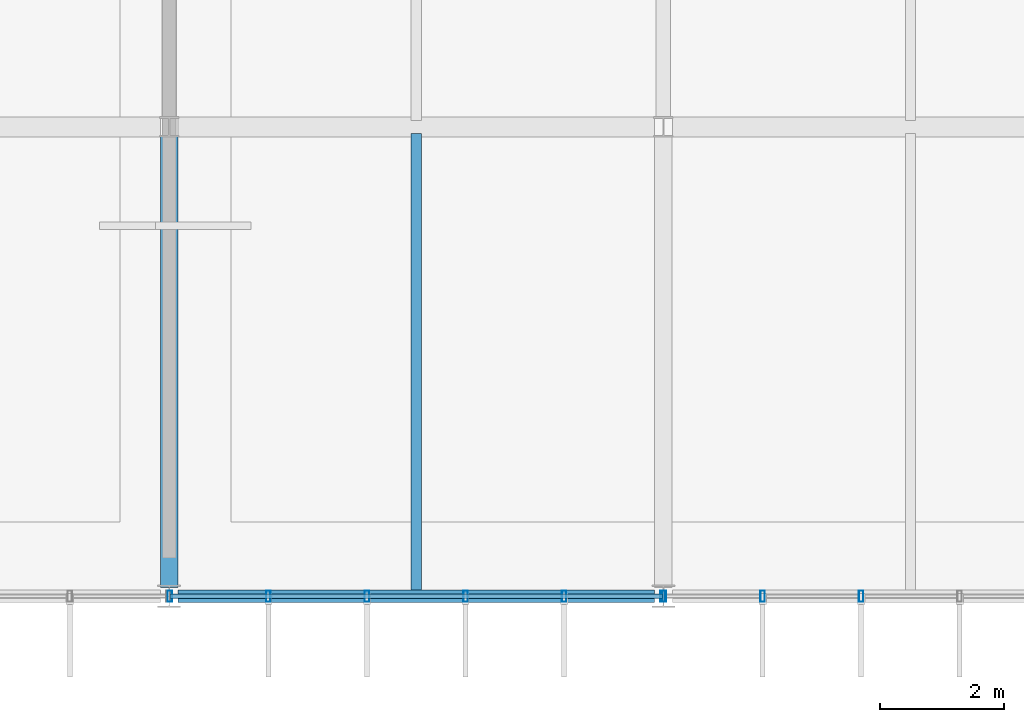
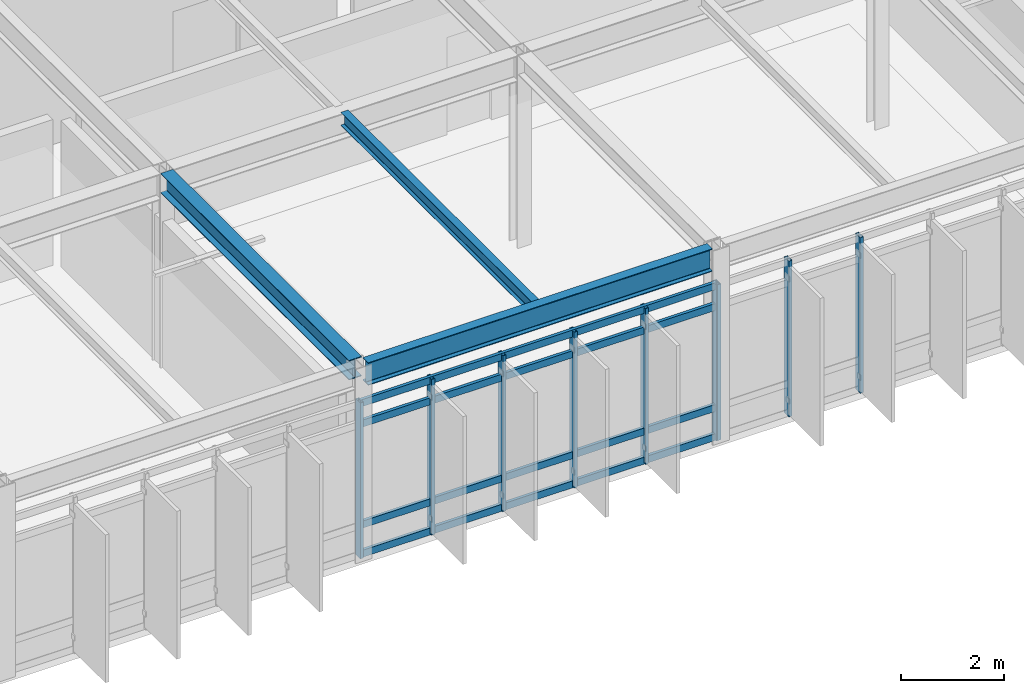
# One storey, part 22 of 100: 13 members, 3 beams, 2 elements without a shape of their own.
"""IFC4 building model written with IfcOpenShell, lengths in metres."""

from ifc_helpers import new_model, si_unit, direction, frame, origin, origin_2d, place, context, subcontext, project, spatial, hollow_rectangle, i_section, extrude, material, material_profile, profile_set, type_object, element, aggregate, save


model = new_model("IFC4")

# Units and contexts
model_context = context("Model", 3, precision=1e-05, world=origin(), true_north=direction((0.0, 1.0)))
body_context = subcontext(model_context, "Body", "Model", "MODEL_VIEW")
ifc_project = project(units=[si_unit("LENGTHUNIT", "METRE"), si_unit("AREAUNIT", "SQUARE_METRE"), si_unit("VOLUMEUNIT", "CUBIC_METRE"), si_unit("PLANEANGLEUNIT", "RADIAN"), si_unit("MASSUNIT", "GRAM", prefix="KILO")], contexts=[model_context])

# Site, building, storey
site_placement = place(None, origin())
site = spatial("IfcSite", under=ifc_project, at=site_placement, CompositionType="ELEMENT")
building_placement = place(site_placement, origin())
building = spatial("IfcBuilding", under=site, at=building_placement, Name="Zulena Civic Courthouse", CompositionType="ELEMENT")
storey_placement = place(building_placement, frame((0.0, 0.0, 20.39990234375)))
storey = spatial("IfcBuildingStorey", under=building, at=storey_placement, Name="L04", CompositionType="ELEMENT", Elevation=20.39990234375)

# Curtain wall, members
ifc_material_1 = material(Name="Double-silver low-E laminated solar-control glass", Category="glass")
curtain_wall_type = type_object("IfcCurtainWallType", Name="CW_7976x3690", PredefinedType="USERDEFINED", material=ifc_material_1)
curtain_wall_1_placement = place(storey_placement, origin())
curtain_wall_1 = element("IfcCurtainWall", 1, at=curtain_wall_1_placement, inside=storey, type_object=curtain_wall_type, Name="cw:V2:L04:3:4", ObjectType="UNITISED CURTAIN WALL", PredefinedType="USERDEFINED")
ifc_material_2 = material(Name="Bronze anodised thermally broken aluminium AA6063-T6", Category="aluminium")
ifc_material_profile_1 = material_profile(ifc_material_2, hollow_rectangle(XDim=0.074951171875, YDim=0.179931640625, WallThickness=0.0048828125, at=origin_2d()), Name="CWM180X75X5")
ifc_profile_set_1 = profile_set([ifc_material_profile_1], Name="Bronze anodised thermally broken aluminium AA6063-T6")
member_type_1 = type_object("IfcMemberType", Name="CWMullion_180x75", PredefinedType="MULLION", material=ifc_profile_set_1)
member_1_placement = place(storey_placement, frame((31.202392578125, 0.0, 0.0), z_axis=(0.0, 0.0, 1.0), x_axis=(1.0, 0.0, 0.0)))
member_1 = element("IfcMember", 2, at=member_1_placement, type_object=member_type_1, Name="cw:V2:L04:3:4:mull:3", PredefinedType="MULLION", context=body_context, shape_type="SweptSolid", body=[
    extrude(hollow_rectangle(XDim=0.074951171875, YDim=0.179931640625, WallThickness=0.0048828125, at=origin_2d()), origin(), (0.0, 0.0, 1.0), 3.690185546875),
])
member_2_placement = place(storey_placement, frame((29.607177734375, 0.0, 0.0), z_axis=(0.0, 0.0, 1.0), x_axis=(1.0, 0.0, 0.0)))
member_2 = element("IfcMember", 3, at=member_2_placement, type_object=member_type_1, Name="cw:V2:L04:3:4:mull:4", PredefinedType="MULLION", context=body_context, shape_type="SweptSolid", body=[
    extrude(hollow_rectangle(XDim=0.074951171875, YDim=0.179931640625, WallThickness=0.0048828125, at=origin_2d()), origin(), (0.0, 0.0, 1.0), 3.690185546875),
])
member_3_placement = place(storey_placement, frame((28.011962890625, 0.0, 0.0), z_axis=(0.0, 0.0, 1.0), x_axis=(1.0, 0.0, 0.0)))
member_3 = element("IfcMember", 4, at=member_3_placement, type_object=member_type_1, Name="cw:V2:L04:3:4:mull:5", PredefinedType="MULLION", context=body_context, shape_type="SweptSolid", body=[
    extrude(hollow_rectangle(XDim=0.074951171875, YDim=0.179931640625, WallThickness=0.0048828125, at=origin_2d()), origin(), (0.0, 0.0, 1.0), 3.690185546875),
])
aggregate(curtain_wall_1, [member_1, member_2, member_3])

curtain_wall_2_placement = place(storey_placement, origin())
curtain_wall_2 = element("IfcCurtainWall", 5, at=curtain_wall_2_placement, inside=storey, type_object=curtain_wall_type, Name="cw:V2:L04:3:5", ObjectType="UNITISED CURTAIN WALL", PredefinedType="USERDEFINED")
member_4_placement = place(storey_placement, frame((27.988037109375, 0.0, 0.0), z_axis=(0.0, 0.0, 1.0), x_axis=(1.0, 0.0, 0.0)))
member_4 = element("IfcMember", 6, at=member_4_placement, type_object=member_type_1, Name="cw:V2:L04:3:5:mull:0", PredefinedType="MULLION", context=body_context, shape_type="SweptSolid", body=[
    extrude(hollow_rectangle(XDim=0.074951171875, YDim=0.179931640625, WallThickness=0.0048828125, at=origin_2d()), origin(), (0.0, 0.0, 1.0), 3.690185546875),
])
member_5_placement = place(storey_placement, frame((26.392822265625, 0.0, 0.0), z_axis=(0.0, 0.0, 1.0), x_axis=(1.0, 0.0, 0.0)))
member_5 = element("IfcMember", 7, at=member_5_placement, type_object=member_type_1, Name="cw:V2:L04:3:5:mull:1", PredefinedType="MULLION", context=body_context, shape_type="SweptSolid", body=[
    extrude(hollow_rectangle(XDim=0.074951171875, YDim=0.179931640625, WallThickness=0.0048828125, at=origin_2d()), origin(), (0.0, 0.0, 1.0), 3.690185546875),
])
member_6_placement = place(storey_placement, frame((24.797607421875, 0.0, 0.0), z_axis=(0.0, 0.0, 1.0), x_axis=(1.0, 0.0, 0.0)))
member_6 = element("IfcMember", 8, at=member_6_placement, type_object=member_type_1, Name="cw:V2:L04:3:5:mull:2", PredefinedType="MULLION", context=body_context, shape_type="SweptSolid", body=[
    extrude(hollow_rectangle(XDim=0.074951171875, YDim=0.179931640625, WallThickness=0.0048828125, at=origin_2d()), origin(), (0.0, 0.0, 1.0), 3.690185546875),
])
member_7_placement = place(storey_placement, frame((23.202392578125, 0.0, 0.0), z_axis=(0.0, 0.0, 1.0), x_axis=(1.0, 0.0, 0.0)))
member_7 = element("IfcMember", 9, at=member_7_placement, type_object=member_type_1, Name="cw:V2:L04:3:5:mull:3", PredefinedType="MULLION", context=body_context, shape_type="SweptSolid", body=[
    extrude(hollow_rectangle(XDim=0.074951171875, YDim=0.179931640625, WallThickness=0.0048828125, at=origin_2d()), origin(), (0.0, 0.0, 1.0), 3.690185546875),
])
member_8_placement = place(storey_placement, frame((21.607177734375, 0.0, 0.0), z_axis=(0.0, 0.0, 1.0), x_axis=(1.0, 0.0, 0.0)))
member_8 = element("IfcMember", 10, at=member_8_placement, type_object=member_type_1, Name="cw:V2:L04:3:5:mull:4", PredefinedType="MULLION", context=body_context, shape_type="SweptSolid", body=[
    extrude(hollow_rectangle(XDim=0.074951171875, YDim=0.179931640625, WallThickness=0.0048828125, at=origin_2d()), origin(), (0.0, 0.0, 1.0), 3.690185546875),
])
member_9_placement = place(storey_placement, frame((20.011962890625, 0.0, 0.0), z_axis=(0.0, 0.0, 1.0), x_axis=(1.0, 0.0, 0.0)))
member_9 = element("IfcMember", 11, at=member_9_placement, type_object=member_type_1, Name="cw:V2:L04:3:5:mull:5", PredefinedType="MULLION", context=body_context, shape_type="SweptSolid", body=[
    extrude(hollow_rectangle(XDim=0.074951171875, YDim=0.179931640625, WallThickness=0.0048828125, at=origin_2d()), origin(), (0.0, 0.0, 1.0), 3.690185546875),
])
ifc_material_profile_2 = material_profile(ifc_material_2, hollow_rectangle(XDim=0.070068359375, YDim=0.1650390625, WallThickness=0.00390625, at=origin_2d()), Name="CWT165X70X4")
ifc_profile_set_2 = profile_set([ifc_material_profile_2], Name="Bronze anodised thermally broken aluminium AA6063-T6")
member_type_2 = type_object("IfcMemberType", Name="CWTransom_165x70", PredefinedType="USERDEFINED", material=ifc_profile_set_2)
member_10_placement = place(storey_placement, frame((27.988037109375, 0.0, 0.06005859375), z_axis=(-1.0, 0.0, 0.0), x_axis=(0.0, -1.0, 0.0)))
member_10 = element("IfcMember", 12, at=member_10_placement, type_object=member_type_2, Name="cw:V2:L04:3:5:tran:0", ObjectType="TRANSOM", PredefinedType="USERDEFINED", context=body_context, shape_type="SweptSolid", body=[
    extrude(hollow_rectangle(XDim=0.070068359375, YDim=0.1650390625, WallThickness=0.00390625, at=origin_2d()), origin(), (0.0, 0.0, 1.0), 7.97607421875),
])
member_11_placement = place(storey_placement, frame((27.988037109375, 0.0, 0.75), z_axis=(-1.0, 0.0, 0.0), x_axis=(0.0, -1.0, 0.0)))
member_11 = element("IfcMember", 13, at=member_11_placement, type_object=member_type_2, Name="cw:V2:L04:3:5:tran:1", ObjectType="TRANSOM", PredefinedType="USERDEFINED", context=body_context, shape_type="SweptSolid", body=[
    extrude(hollow_rectangle(XDim=0.070068359375, YDim=0.1650390625, WallThickness=0.00390625, at=origin_2d()), origin(), (0.0, 0.0, 1.0), 7.97607421875),
])
member_12_placement = place(storey_placement, frame((27.988037109375, 0.0, 3.14013671875), z_axis=(-1.0, 0.0, 0.0), x_axis=(0.0, -1.0, 0.0)))
member_12 = element("IfcMember", 14, at=member_12_placement, type_object=member_type_2, Name="cw:V2:L04:3:5:tran:2", ObjectType="TRANSOM", PredefinedType="USERDEFINED", context=body_context, shape_type="SweptSolid", body=[
    extrude(hollow_rectangle(XDim=0.070068359375, YDim=0.1650390625, WallThickness=0.00390625, at=origin_2d()), origin(), (0.0, 0.0, 1.0), 7.97607421875),
])
member_13_placement = place(storey_placement, frame((27.988037109375, 0.0, 3.630126953125), z_axis=(-1.0, 0.0, 0.0), x_axis=(0.0, -1.0, 0.0)))
member_13 = element("IfcMember", 15, at=member_13_placement, type_object=member_type_2, Name="cw:V2:L04:3:5:tran:3", ObjectType="TRANSOM", PredefinedType="USERDEFINED", context=body_context, shape_type="SweptSolid", body=[
    extrude(hollow_rectangle(XDim=0.070068359375, YDim=0.1650390625, WallThickness=0.00390625, at=origin_2d()), origin(), (0.0, 0.0, 1.0), 7.97607421875),
])
aggregate(curtain_wall_2, [member_4, member_5, member_6, member_7, member_8, member_9, member_10, member_11, member_12, member_13])

# Beams
ifc_material_3 = material(Name="Steel ASTM A992 Grade 50", Category="steel")
ifc_material_profile_3 = material_profile(ifc_material_3, i_section(OverallWidth=0.1650390625, OverallDepth=0.31005859375, WebThickness=0.005859375, FlangeThickness=0.009765625, FilletRadius=0.009765625, at=origin_2d()), Name="W12X26")
ifc_profile_set_3 = profile_set([ifc_material_profile_3], Name="Steel ASTM A992 Grade 50")
beam_type_1 = type_object("IfcBeamType", Name="Joist_W12X26", PredefinedType="JOIST", material=ifc_profile_set_3)
beam_1_placement = place(storey_placement, frame((24.0, 0.10498046875, 4.440185546875), z_axis=(0.0, 1.0, 0.0), x_axis=(-1.0, 0.0, 0.0)))
element("IfcBeam", 16, at=beam_1_placement, inside=storey, type_object=beam_type_1, Name="joist:V2:L04:24.00:0.0_7.6", PredefinedType="JOIST", context=body_context, shape_type="SweptSolid", body=[
    extrude(i_section(OverallWidth=0.1650390625, OverallDepth=0.31005859375, WebThickness=0.005859375, FlangeThickness=0.009765625, FilletRadius=0.009765625, at=origin_2d()), origin(), (0.0, 0.0, 1.0), 7.39013671875),
])
ifc_material_profile_4 = material_profile(ifc_material_3, i_section(OverallWidth=0.280029296875, OverallDepth=0.462890625, WebThickness=0.0107421875, FlangeThickness=0.017333984375, FilletRadius=0.01025390625, at=origin_2d()), Name="W18X76")
ifc_profile_set_4 = profile_set([ifc_material_profile_4], Name="Steel ASTM A992 Grade 50")
beam_type_2 = type_object("IfcBeamType", Name="Spandrel_W18X76", PredefinedType="SPANDREL", material=ifc_profile_set_4)
beam_2_placement = place(storey_placement, frame((20.0, 0.14501953125, 4.363525390625), z_axis=(0.0, 1.0, 0.0), x_axis=(-1.0, 0.0, 0.0)))
element("IfcBeam", 17, at=beam_2_placement, inside=storey, type_object=beam_type_2, Name="beam:Y:V2:L04:20.0:0.0_7.6", PredefinedType="SPANDREL", context=body_context, shape_type="SweptSolid", body=[
    extrude(i_section(OverallWidth=0.280029296875, OverallDepth=0.462890625, WebThickness=0.0107421875, FlangeThickness=0.017333984375, FilletRadius=0.01025390625, at=origin_2d()), origin(), (0.0, 0.0, 1.0), 7.31005859375),
])
ifc_material_profile_5 = material_profile(ifc_material_3, i_section(OverallWidth=0.2099609375, OverallDepth=0.537109375, WebThickness=0.010986328125, FlangeThickness=0.017333984375, FilletRadius=0.0126953125, at=origin_2d()), Name="W21X68")
ifc_profile_set_5 = profile_set([ifc_material_profile_5], Name="Steel ASTM A992 Grade 50")
beam_type_3 = type_object("IfcBeamType", Name="Spandrel_W21X68", PredefinedType="SPANDREL", material=ifc_profile_set_5)
beam_3_placement = place(storey_placement, frame((20.14501953125, 0.0, 4.32666015625), z_axis=(1.0, 0.0, 0.0), x_axis=(0.0, 1.0, 0.0)))
element("IfcBeam", 18, at=beam_3_placement, inside=storey, type_object=beam_type_3, Name="beam:X:V2:L04:0.0:20.0_28.0", PredefinedType="SPANDREL", context=body_context, shape_type="SweptSolid", body=[
    extrude(i_section(OverallWidth=0.2099609375, OverallDepth=0.537109375, WebThickness=0.010986328125, FlangeThickness=0.017333984375, FilletRadius=0.0126953125, at=origin_2d()), origin(), (0.0, 0.0, 1.0), 7.7099609375),
])

save(model, "model.ifc")
